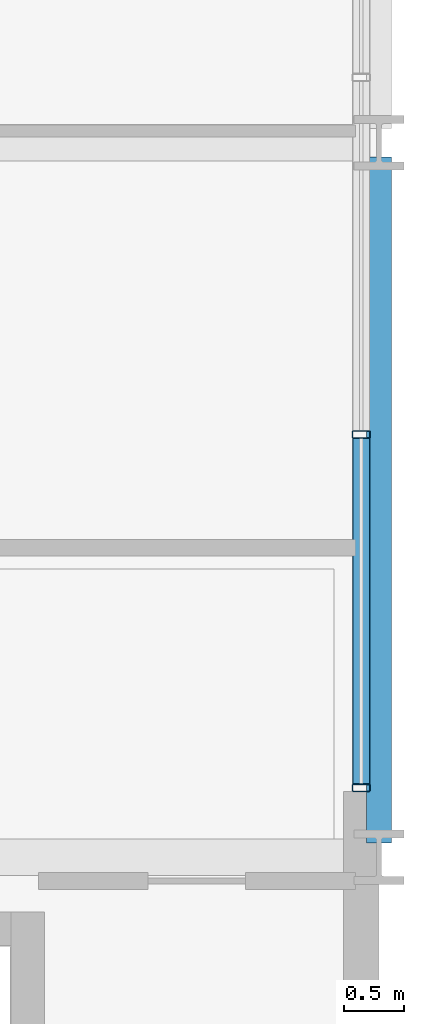
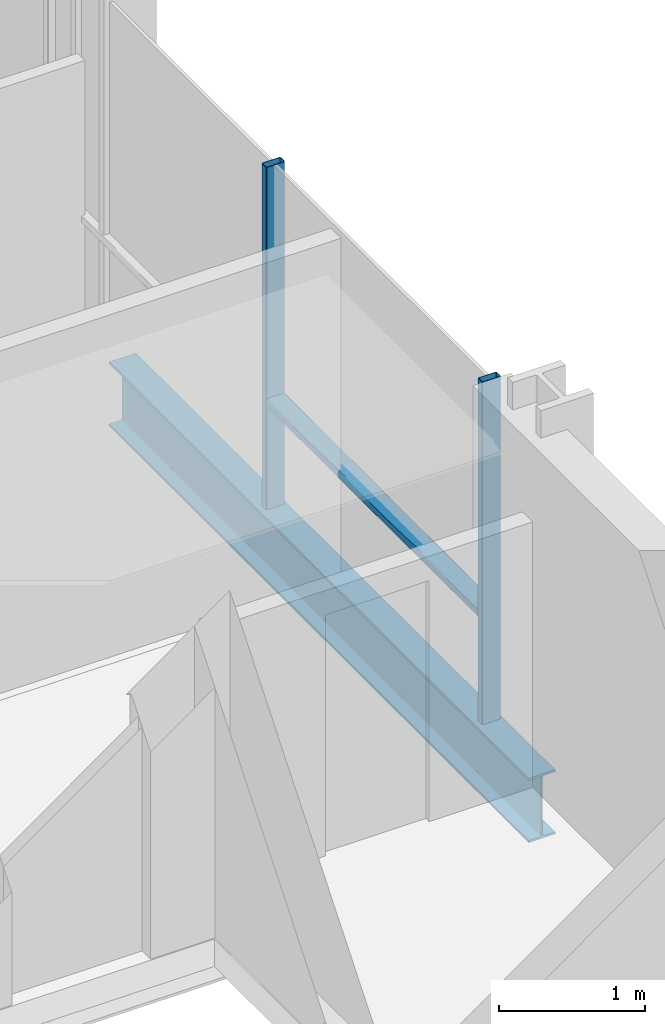
# One storey, part 15 of 40: 3 members, 1 beam, 1 element without a shape of its own.
"""IFC4 building model written with IfcOpenShell, lengths in metres."""

from ifc_helpers import new_model, si_unit, direction, frame, origin, origin_2d, place, context, subcontext, project, spatial, hollow_rectangle, i_section, extrude, material, layer, layer_set, material_profile, profile_set, type_object, element, aggregate, save


model = new_model("IFC4")

# Units and contexts
model_context = context("Model", 3, precision=1e-05, world=origin(), true_north=direction((0.0, 1.0)))
body_context = subcontext(model_context, "Body", "Model", "MODEL_VIEW")
ifc_project = project(units=[si_unit("LENGTHUNIT", "METRE"), si_unit("AREAUNIT", "SQUARE_METRE"), si_unit("VOLUMEUNIT", "CUBIC_METRE"), si_unit("PLANEANGLEUNIT", "RADIAN"), si_unit("MASSUNIT", "GRAM", prefix="KILO")], contexts=[model_context])

# Site, building, storey
site_placement = place(None, origin())
site = spatial("IfcSite", under=ifc_project, at=site_placement, CompositionType="ELEMENT")
building_placement = place(site_placement, origin())
building = spatial("IfcBuilding", under=site, at=building_placement, Name="Brevholm Reach", CompositionType="ELEMENT")
storey_placement = place(building_placement, frame((0.0, 0.0, 62.10009765625)))
storey = spatial("IfcBuildingStorey", under=building, at=storey_placement, Name="L17", CompositionType="ELEMENT", Elevation=62.10009765625)

# Beam
ifc_material_1 = material(Name="Structural Steel S355J2", Category="steel")
ifc_material_profile_1 = material_profile(ifc_material_1, i_section(OverallWidth=0.210693359375, OverallDepth=0.53955078125, WebThickness=0.01171875, FlangeThickness=0.018798828125, FilletRadius=0.0126953125, at=origin_2d()), Name="UKB 533x210x109")
ifc_profile_set_1 = profile_set([ifc_material_profile_1], Name="Structural Steel S355J2")
beam_type = type_object("IfcBeamType", Name="BM-SP539", PredefinedType="SPANDREL", material=ifc_profile_set_1)
beam_placement = place(storey_placement, frame((60.0, 10.1201171875, -0.499755859375), z_axis=(0.0, 1.0, 0.0), x_axis=(-1.0, 0.0, 0.0)))
element("IfcBeam", 1, at=beam_placement, inside=storey, type_object=beam_type, Name="L17 SP-01B Framing Beam", PredefinedType="SPANDREL", context=body_context, shape_type="SweptSolid", body=[
    extrude(i_section(OverallWidth=0.210693359375, OverallDepth=0.53955078125, WebThickness=0.01171875, FlangeThickness=0.018798828125, FilletRadius=0.0126953125, at=origin_2d()), origin(), (0.0, 0.0, 1.0), 5.759765625),
])

# Curtain wall, members
ifc_material_2 = material(Name="Dark Anodised Aluminium 6063-T6 and Solar-Control Glass", Category="aluminium")
ifc_layer = layer(ifc_material_2, 0.14990234375)
ifc_layer_set = layer_set([ifc_layer], Name="Dark Anodised Aluminium 6063-T6 and Solar-Control Glass")
curtain_wall_type = type_object("IfcCurtainWallType", Name="CW-01", PredefinedType="NOTDEFINED", material=ifc_layer_set)
curtain_wall_placement = place(storey_placement, origin())
curtain_wall = element("IfcCurtainWall", 2, at=curtain_wall_placement, inside=storey, type_object=curtain_wall_type, Name="L17 Curtain Wall CW-01", PredefinedType="NOTDEFINED")
ifc_material_3 = material(Name="Dark Anodised Aluminium 6063-T6", Category="aluminium")
ifc_material_profile_2 = material_profile(ifc_material_3, hollow_rectangle(XDim=0.06494140625, YDim=0.14990234375, WallThickness=0.0048828125, InnerFilletRadius=0.0048828125, OuterFilletRadius=0.010009765625, at=origin_2d()), Name="RHS 150x65x5")
ifc_profile_set_2 = profile_set([ifc_material_profile_2], Name="Dark Anodised Aluminium 6063-T6")
member_type_1 = type_object("IfcMemberType", Name="CWM-150", PredefinedType="MULLION", material=ifc_profile_set_2)
member_1_placement = place(storey_placement, frame((59.85009765625, 10.58251953125, 0.0), z_axis=(0.0, 0.0, 1.0), x_axis=(0.0, 1.0, 0.0)))
member_1 = element("IfcMember", 3, at=member_1_placement, type_object=member_type_1, Name="CM-150 Mullion 1", PredefinedType="MULLION", context=body_context, shape_type="SweptSolid", body=[
    extrude(hollow_rectangle(XDim=0.06494140625, YDim=0.14990234375, WallThickness=0.0048828125, InnerFilletRadius=0.0048828125, OuterFilletRadius=0.010009765625, at=origin_2d()), origin(), (0.0, 0.0, 1.0), 2.869873046875),
])
member_2_placement = place(storey_placement, frame((59.85009765625, 13.550048828125, 0.0), z_axis=(0.0, 0.0, 1.0), x_axis=(0.0, 1.0, 0.0)))
member_2 = element("IfcMember", 4, at=member_2_placement, type_object=member_type_1, Name="CM-150 Mullion 2", PredefinedType="MULLION", context=body_context, shape_type="SweptSolid", body=[
    extrude(hollow_rectangle(XDim=0.06494140625, YDim=0.14990234375, WallThickness=0.0048828125, InnerFilletRadius=0.0048828125, OuterFilletRadius=0.010009765625, at=origin_2d()), origin(), (0.0, 0.0, 1.0), 2.869873046875),
])
ifc_material_4 = material(Name="Dark Anodised Aluminium 6063-T6", Category="aluminium")
ifc_material_profile_3 = material_profile(ifc_material_4, hollow_rectangle(XDim=0.06494140625, YDim=0.14990234375, WallThickness=0.0048828125, InnerFilletRadius=0.0048828125, OuterFilletRadius=0.010009765625, at=origin_2d()), Name="RHS 150x65x5")
ifc_profile_set_3 = profile_set([ifc_material_profile_3], Name="Dark Anodised Aluminium 6063-T6")
member_type_2 = type_object("IfcMemberType", Name="CWT-150", PredefinedType="NOTDEFINED", material=ifc_profile_set_3)
member_3_placement = place(storey_placement, frame((59.85009765625, 10.614990234375, 0.89990234375), z_axis=(0.0, 1.0, 0.0), x_axis=(0.0, 0.0, 1.0)))
member_3 = element("IfcMember", 5, at=member_3_placement, type_object=member_type_2, Name="CT-150 Transom 1.1", ObjectType="TRANSOM", PredefinedType="USERDEFINED", context=body_context, shape_type="SweptSolid", body=[
    extrude(hollow_rectangle(XDim=0.06494140625, YDim=0.14990234375, WallThickness=0.0048828125, InnerFilletRadius=0.0048828125, OuterFilletRadius=0.010009765625, at=origin_2d()), origin(), (0.0, 0.0, 1.0), 2.902587890625),
])
aggregate(curtain_wall, [member_1, member_2, member_3])

save(model, "model.ifc")
